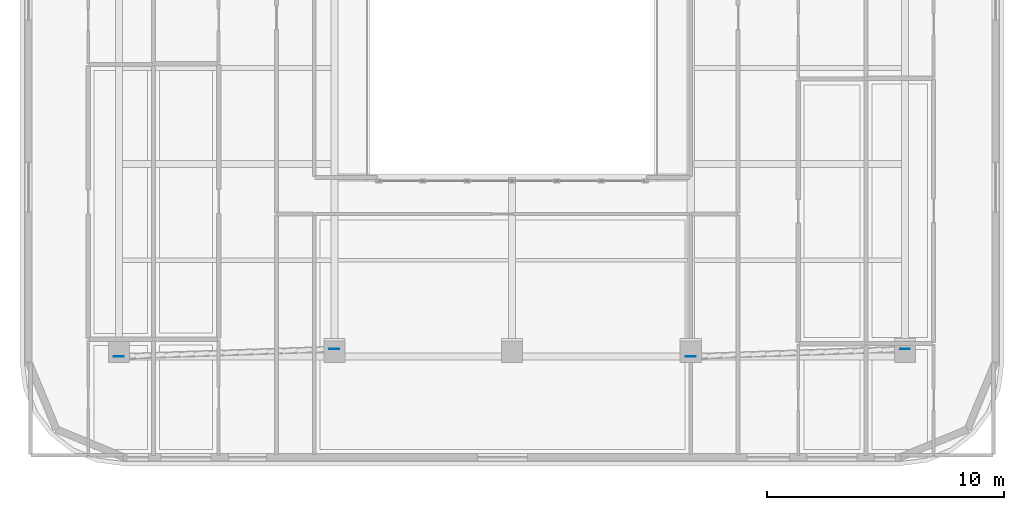
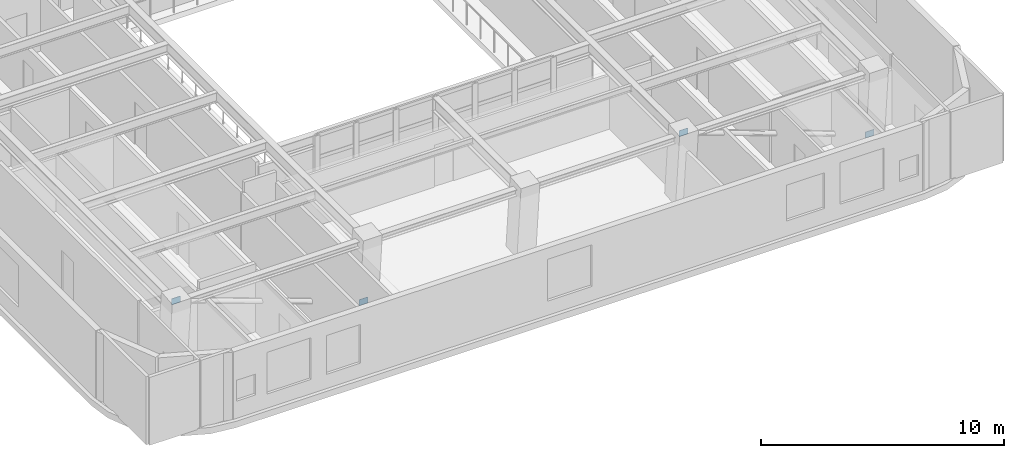
# One storey, part 5 of 13: 4 plates.
"""IFC4 building model written with IfcOpenShell, lengths in metres."""

from ifc_helpers import new_model, si_unit, direction, frame, origin, origin_2d, place, context, subcontext, project, spatial, rectangle, extrude, material, layer, layer_set, type_object, element, save


model = new_model("IFC4")

# Units and contexts
model_context = context("Model", 3, precision=1e-05, world=origin(), true_north=direction((0.0, 1.0)))
body_context = subcontext(model_context, "Body", "Model", "MODEL_VIEW")
ifc_project = project(units=[si_unit("LENGTHUNIT", "METRE"), si_unit("AREAUNIT", "SQUARE_METRE"), si_unit("VOLUMEUNIT", "CUBIC_METRE"), si_unit("PLANEANGLEUNIT", "RADIAN"), si_unit("MASSUNIT", "GRAM", prefix="KILO")], contexts=[model_context])

# Site, building, storey
site_placement = place(None, origin())
site = spatial("IfcSite", under=ifc_project, at=site_placement, CompositionType="ELEMENT")
building_placement = place(site_placement, origin())
building = spatial("IfcBuilding", under=site, at=building_placement, Name="Zarnavel Station Tower", CompositionType="ELEMENT")
storey_placement = place(building_placement, frame((0.0, 0.0, 254.699951171875)))
storey = spatial("IfcBuildingStorey", under=building, at=storey_placement, Name="L69", CompositionType="ELEMENT", Elevation=254.699951171875)

# Plates
ifc_material = material(Name="Steel S460M", Category="steel")
ifc_layer = layer(ifc_material, 0.02490234375)
ifc_layer_set = layer_set([ifc_layer], Name="GP_GUSSET_25")
plate_type = type_object("IfcPlateType", Name="GP_GUSSET_25", PredefinedType="USERDEFINED", material=ifc_layer_set)
for number, where, z_axis, x_axis, name in (
    (1, (21.300048828125, 3.147216796875, -0.14990234375), (0.0, 0.0, 1.0), (1.0, 0.0, 0.0), "L69 Exterior Diagonal Brace End Gusset 1-1"),
    (2, (12.199951171875, 2.837158203125, 3.27001953125), (0.0, 0.0, 1.0), (1.0, 0.0, 0.0), "L69 Exterior Diagonal Brace End Gusset 1-2"),
    (3, (45.39990234375, 3.147216796875, -0.14990234375), (0.0, 0.0, 1.0), (1.0, 0.0, 0.0), "L69 Exterior Diagonal Brace End Gusset 2-1"),
    (4, (36.35009765625, 2.837158203125, 3.27001953125), (0.0, 0.0, 1.0), (1.0, 0.0, 0.0), "L69 Exterior Diagonal Brace End Gusset 2-2"),
):
    element("IfcPlate", number, at=place(storey_placement, frame(where, z_axis=z_axis, x_axis=x_axis)), inside=storey, type_object=plate_type, Name=name, ObjectType="GUSSET_PLATE", PredefinedType="USERDEFINED", context=body_context, shape_type="SweptSolid", body=[
        extrude(rectangle(XDim=0.419921875, YDim=0.02490234375, at=origin_2d()), origin(), (0.0, 0.0, 1.0), 0.300048828125),
    ])

save(model, "model.ifc")
